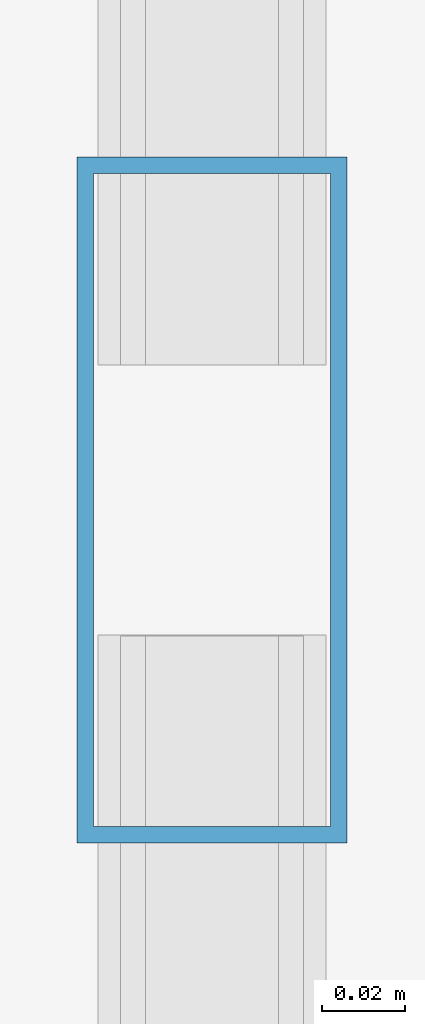
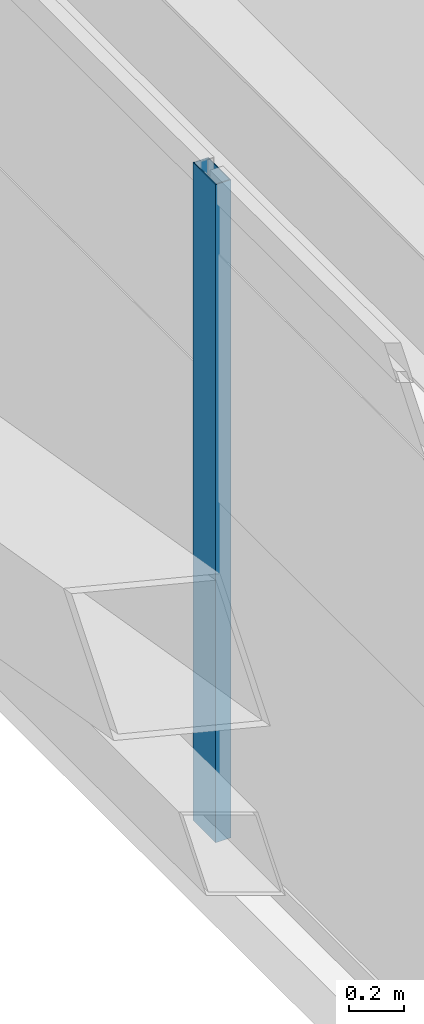
# One storey, part 16 of 58: 1 member, 1 element without a shape of its own.
"""IFC4 building model written with IfcOpenShell, lengths in metres."""

from ifc_helpers import new_model, si_unit, direction, frame, origin, origin_2d, place, context, subcontext, project, spatial, hollow_rectangle, extrude, source, transform, mapped, material, layer, layer_set, material_profile, profile_set, type_object, element, aggregate, save


model = new_model("IFC4")

# Units and contexts
model_context = context("Model", 3, precision=1e-05, world=origin(), true_north=direction((0.0, 1.0)))
body_context = subcontext(model_context, "Body", "Model", "MODEL_VIEW")
ifc_project = project(units=[si_unit("LENGTHUNIT", "METRE"), si_unit("AREAUNIT", "SQUARE_METRE"), si_unit("VOLUMEUNIT", "CUBIC_METRE"), si_unit("PLANEANGLEUNIT", "RADIAN"), si_unit("MASSUNIT", "GRAM", prefix="KILO")], contexts=[model_context])

# Site, building, storey
site_placement = place(None, origin())
site = spatial("IfcSite", under=ifc_project, at=site_placement, CompositionType="ELEMENT")
building_placement = place(site_placement, origin())
building = spatial("IfcBuilding", under=site, at=building_placement, Name="Taldren Reach Tower", CompositionType="ELEMENT")
storey_placement = place(building_placement, frame((0.0, 0.0, 54.60009765625)))
storey = spatial("IfcBuildingStorey", under=building, at=storey_placement, Name="L16", CompositionType="ELEMENT", Elevation=54.60009765625)

# Curtain wall, member
ifc_material_1 = material(Name="Aluminium and Low-E Glass Unitised System", Category="aluminium")
ifc_layer = layer(ifc_material_1, 0.159912109375)
ifc_layer_set = layer_set([ifc_layer], Name="Aluminium and Low-E Glass Unitised System")
curtain_wall_type = type_object("IfcCurtainWallType", Name="CW-SYS-2", PredefinedType="NOTDEFINED", material=ifc_layer_set)
curtain_wall_placement = place(storey_placement, origin())
curtain_wall = element("IfcCurtainWall", 1, at=curtain_wall_placement, inside=storey, type_object=curtain_wall_type, Name="Unitised curtain wall CW-L16-W", PredefinedType="NOTDEFINED")
ifc_material_2 = material(Name="Anodised Aluminium 6063-T6", Category="aluminium")
ifc_material_profile = material_profile(ifc_material_2, hollow_rectangle(XDim=0.06494140625, YDim=0.1650390625, WallThickness=0.00390625, at=origin_2d()), Name="ALU-165x65x4RHS")
ifc_profile_set = profile_set([ifc_material_profile], Name="Anodised Aluminium 6063-T6")
member_type = type_object("IfcMemberType", Name="CW-MUL-165", PredefinedType="MULLION", material=ifc_profile_set)
shared_shape = source(origin(), body_context, "Body", "SweptSolid", [
    extrude(hollow_rectangle(XDim=0.06494140625, YDim=0.1650390625, WallThickness=0.00390625, at=origin_2d()), origin(), (0.0, 0.0, 1.0), 2.929931640625),
])
member_placement = place(storey_placement, frame((5.139892578125, 25.166748046875, 0.0), z_axis=(0.0, 0.0, 1.0), x_axis=(1.0, 0.0, 0.0)))
member = element("IfcMember", 2, at=member_placement, type_object=member_type, Name="CW-2 mullion 4", PredefinedType="MULLION", context=body_context, shape_type="MappedRepresentation", body=[
    mapped(shared_shape, transform((0.0, 0.0, 0.0), scale=1.0)),
])
aggregate(curtain_wall, [member])

save(model, "model.ifc")
